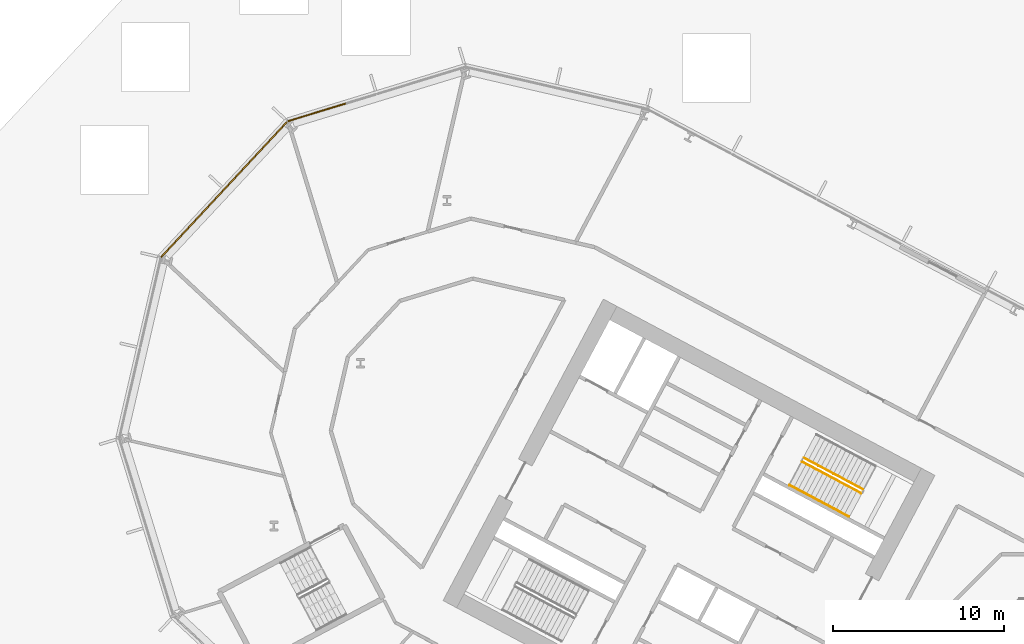
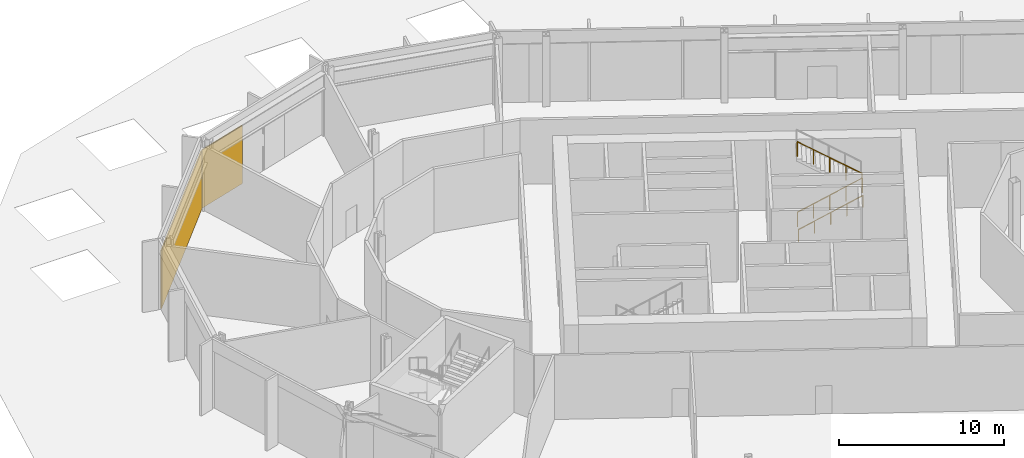
# One storey, part 23 of 30: 3 railings, 2 coverings, 2 elements without a shape of their own.
"""IFC4 building model written with IfcOpenShell, lengths in metres."""

import ifcopenshell
import ifcopenshell.guid

model = None  # the IFC model being written
_history = None  # IfcOwnerHistory: only IFC2X3 demands one
_inside = {}  # id of a spatial element -> (the spatial element, [elements in it])
_under = {}  # id of a project, library or spatial element -> (it, [spatial elements below it])
_declared = {}  # id of a project -> (the project, [libraries it declares])
_typed = {}  # id of a type object -> (the type object, [elements of that type])
_made_of = {}  # id of a material, layer set ... -> (it, [elements and type objects made of it])


def new_model(schema):
    """Start an empty IFC model of exactly this schema.

    Asked for "IFC4X3", IfcOpenShell would pick the latest addendum, in which some entities
    have other attributes; the version numbers below select the first issue.
    IFC2X3 requires an IfcOwnerHistory on every rooted entity: one is made here for all.
    """
    global model, _history
    if schema == "IFC4X3":
        model = ifcopenshell.file(schema_version=(4, 3, 0, 0))
    else:
        model = ifcopenshell.file(schema=schema)
    _inside.clear()
    _under.clear()
    _declared.clear()
    _typed.clear()
    _made_of.clear()
    _history = None
    if model.schema == "IFC2X3":
        org = make("IfcOrganization", Name="unknown")
        user = make(
            "IfcPersonAndOrganization",
            ThePerson=make("IfcPerson", FamilyName="unknown"),
            TheOrganization=org,
        )
        app = make(
            "IfcApplication",
            ApplicationDeveloper=org,
            Version="unknown",
            ApplicationFullName="unknown",
            ApplicationIdentifier="unknown",
        )
        _history = make(
            "IfcOwnerHistory",
            OwningUser=user,
            OwningApplication=app,
            ChangeAction="ADDED",
            CreationDate=0,
        )
    return model


def make(cls, **values):
    """One entity of the class cls with the attributes given. An attribute that is None is left unset."""
    return model.create_entity(
        cls, **{name: value for name, value in values.items() if value is not None}
    )


def rooted(cls, **values):
    """An entity with a GlobalId (a new one), such as an element, a storey or a relation."""
    return make(cls, GlobalId=ifcopenshell.guid.new(), OwnerHistory=_history, **values)


def si_unit(unit_type, name, prefix=None):
    """IfcSIUnit, for example si_unit("LENGTHUNIT", "METRE", prefix="MILLI")."""
    return make("IfcSIUnit", UnitType=unit_type, Prefix=prefix, Name=name)


def assignment(units):
    """IfcUnitAssignment: the units of a project."""
    return None if units is None else make("IfcUnitAssignment", Units=units)


def point(xyz):
    """IfcCartesianPoint."""
    return None if xyz is None else make("IfcCartesianPoint", Coordinates=xyz)


def direction(xyz):
    """IfcDirection."""
    return None if xyz is None else make("IfcDirection", DirectionRatios=xyz)


def frame(location, z_axis=None, x_axis=None):
    """IfcAxis2Placement3D, a coordinate frame: its origin and axes. An axis left out is left unset."""
    return make(
        "IfcAxis2Placement3D",
        Location=point(location),
        Axis=direction(z_axis),
        RefDirection=direction(x_axis),
    )


def frame_2d(location, x_axis=None):
    """IfcAxis2Placement2D, a coordinate frame in the plane: its origin and x axis."""
    return make(
        "IfcAxis2Placement2D", Location=point(location), RefDirection=direction(x_axis)
    )


def origin():
    """The frame at (0, 0, 0) with its axes left unset."""
    return frame((0.0, 0.0, 0.0))


def origin_2d():
    """The frame at (0, 0) in the plane with its x axis left unset."""
    return frame_2d((0.0, 0.0))


def place(relative_to, where):
    """IfcLocalPlacement: puts the frame where relative to a parent placement (None: the world)."""
    return make(
        "IfcLocalPlacement", PlacementRelTo=relative_to, RelativePlacement=where
    )


def context(
    kind, dimensions, precision=None, world=None, true_north=None, identifier=None
):
    """IfcGeometricRepresentationContext, for example the 3D "Model" context."""
    return make(
        "IfcGeometricRepresentationContext",
        ContextIdentifier=identifier,
        ContextType=kind,
        CoordinateSpaceDimension=dimensions,
        Precision=precision,
        WorldCoordinateSystem=world,
        TrueNorth=true_north,
    )


def subcontext(parent, identifier, kind, view, scale=None):
    """IfcGeometricRepresentationSubContext, for example "Body" below "Model"."""
    return make(
        "IfcGeometricRepresentationSubContext",
        ContextIdentifier=identifier,
        ContextType=kind,
        ParentContext=parent,
        TargetScale=scale,
        TargetView=view,
    )


def project(units=None, contexts=None):
    """IfcProject with its units and contexts."""
    return rooted(
        "IfcProject",
        Name="project",
        RepresentationContexts=contexts,
        UnitsInContext=assignment(units),
    )


def spatial(cls, under=None, at=None, **own):
    """A site, building, storey or space (cls), placed at a placement, below another one or the project."""
    s = rooted(cls, ObjectPlacement=at, **own)
    if under is not None:
        _under.setdefault(under.id(), (under, []))[1].append(s)
    return s


def polyline(points):
    """IfcPolyline through the points."""
    return make("IfcPolyline", Points=[point(p) for p in points])


def profile(cls, at=None, kind="AREA", **sizes):
    """A parametric profile (cls). Its sizes go by their IFC names, for example OverallWidth=200.0."""
    return make(cls, ProfileType=kind, Position=at, **sizes)


def rectangle(**sizes):
    """IfcRectangleProfileDef."""
    return profile("IfcRectangleProfileDef", **sizes)


def outline(outer, holes=None, kind="AREA"):
    """IfcArbitraryClosedProfileDef: a profile drawn as a closed curve; with holes, ...WithVoids."""
    if holes is None:
        return make("IfcArbitraryClosedProfileDef", ProfileType=kind, OuterCurve=outer)
    return make(
        "IfcArbitraryProfileDefWithVoids",
        ProfileType=kind,
        OuterCurve=outer,
        InnerCurves=holes,
    )


def extrude(swept, where, along, depth):
    """IfcExtrudedAreaSolid: the profile swept, set in the frame where, extruded along a direction by depth."""
    return make(
        "IfcExtrudedAreaSolid",
        SweptArea=swept,
        Position=where,
        ExtrudedDirection=direction(along),
        Depth=depth,
    )


def shape(context_of_items, identifier, shape_type, items):
    """IfcShapeRepresentation: the items that make up one representation, for example the "Body"."""
    return make(
        "IfcShapeRepresentation",
        ContextOfItems=context_of_items,
        RepresentationIdentifier=identifier,
        RepresentationType=shape_type,
        Items=items,
    )


def material(Name=None, Category=None):
    """IfcMaterial."""
    return make("IfcMaterial", Name=Name, Category=Category)


def layer(
    of_material, thickness, ventilated=None, Name=None, Category=None, Priority=None
):
    """IfcMaterialLayer: one layer of a wall or slab, of a material (None: an air gap)."""
    return make(
        "IfcMaterialLayer",
        Material=of_material,
        LayerThickness=thickness,
        IsVentilated=ventilated,
        Name=Name,
        Category=Category,
        Priority=Priority,
    )


def layer_set(layers, Name=None):
    """IfcMaterialLayerSet."""
    return make("IfcMaterialLayerSet", MaterialLayers=layers, LayerSetName=Name)


def made_of(thing, what):
    """Note that an element or type object is made of a material, layer set ...; save() writes the relation."""
    if what is not None:
        _made_of.setdefault(what.id(), (what, []))[1].append(thing)
    return thing


def type_object(cls, material=None, **own):
    """A type object (cls), such as IfcWallType, which elements share."""
    return made_of(rooted(cls, **own), material)


def element(
    cls,
    number,
    at=None,
    inside=None,
    cuts=None,
    type_object=None,
    material=None,
    context=None,
    identifier="Body",
    shape_type=None,
    held_by="IfcProductDefinitionShape",
    body=None,
    shapes=None,
    **own,
):
    """One element of the class cls, such as IfcWall. Its Tag is "e" and its number.

    at: its placement. inside: the storey or other place that contains it. cuts: it is an
    opening in that element (IfcRelVoidsElement). A single representation is given by context,
    identifier, shape_type and body (its items); several are given by shapes. held_by: the class
    of the entity that holds the representations. save() writes the other relations.
    """
    e = rooted(cls, Tag="e%d" % number, ObjectPlacement=at, **own)
    if body is not None:
        shapes = [shape(context, identifier, shape_type, body)]
    if shapes is not None:
        e.Representation = make(held_by, Representations=shapes)
    if inside is not None:
        _inside.setdefault(inside.id(), (inside, []))[1].append(e)
    if cuts is not None:
        rooted(
            "IfcRelVoidsElement", RelatingBuildingElement=cuts, RelatedOpeningElement=e
        )
    if type_object is not None:
        _typed.setdefault(type_object.id(), (type_object, []))[1].append(e)
    return made_of(e, material)


def aggregate(whole, parts):
    """IfcRelAggregates: a whole, such as a stair, and the parts it consists of."""
    return rooted("IfcRelAggregates", RelatingObject=whole, RelatedObjects=parts)


def save(model, path):
    """Write the relations noted so far, then the file.

    IfcRelAggregates (storeys below a building ...), IfcRelContainedInSpatialStructure (elements
    in a storey), IfcRelDefinesByType, IfcRelAssociatesMaterial and IfcRelDeclares: one each for
    every whole, place, type object, material and project.
    """
    for whole, parts in _under.values():
        aggregate(whole, parts)
    for where, things in _inside.values():
        rooted(
            "IfcRelContainedInSpatialStructure",
            RelatedElements=things,
            RelatingStructure=where,
        )
    for kind, things in _typed.values():
        rooted("IfcRelDefinesByType", RelatedObjects=things, RelatingType=kind)
    for what, things in _made_of.values():
        rooted("IfcRelAssociatesMaterial", RelatedObjects=things, RelatingMaterial=what)
    for by, libraries in _declared.values():
        rooted("IfcRelDeclares", RelatingContext=by, RelatedDefinitions=libraries)
    model.write(path)


model = new_model("IFC4")

# Units and contexts
model_context = context("Model", 3, precision=1e-05, world=origin(), true_north=direction((0.0, 1.0)))
body_context = subcontext(model_context, "Body", "Model", "MODEL_VIEW")
ifc_project = project(units=[si_unit("LENGTHUNIT", "METRE"), si_unit("AREAUNIT", "SQUARE_METRE"), si_unit("VOLUMEUNIT", "CUBIC_METRE"), si_unit("PLANEANGLEUNIT", "RADIAN"), si_unit("MASSUNIT", "GRAM", prefix="KILO")], contexts=[model_context])

# Site, building, storey
site_placement = place(None, origin())
site = spatial("IfcSite", under=ifc_project, at=site_placement, CompositionType="ELEMENT")
building_placement = place(site_placement, origin())
building = spatial("IfcBuilding", under=site, at=building_placement, Name="Cormorant Relay Tower", CompositionType="ELEMENT")
storey_placement = place(building_placement, frame((0.0, 0.0, 7.0)))
storey = spatial("IfcBuildingStorey", under=building, at=storey_placement, Name="L01", CompositionType="ELEMENT", Elevation=7.0)

# Curtain wall, covering
ifc_material_1 = material(Name="Aluminium 6063-T6 anodised bronze", Category="aluminium")
ifc_layer_1 = layer(ifc_material_1, 0.235107421875)
ifc_layer_set_1 = layer_set([ifc_layer_1], Name="CW6 data hall curtain wall with mineral wool panels")
curtain_wall_type = type_object("IfcCurtainWallType", Name="CW6 data hall curtain wall with mineral wool panels", PredefinedType="NOTDEFINED", material=ifc_layer_set_1)
curtain_wall_1_placement = place(storey_placement, origin())
curtain_wall_1 = element("IfcCurtainWall", 1, at=curtain_wall_1_placement, inside=storey, type_object=curtain_wall_type, Name="CW6 curtain wall 9", PredefinedType="NOTDEFINED")
ifc_material_2 = material(Name="Mineral wool cored anodised bronze aluminium cassette panel", Category="aluminium")
ifc_layer_2 = layer(ifc_material_2, 0.074951171875)
ifc_layer_set_2 = layer_set([ifc_layer_2], Name="CW6 mineral wool cassette panel 75")
covering_type = type_object("IfcCoveringType", Name="CW6 mineral wool cassette panel 75", PredefinedType="CLADDING", material=ifc_layer_set_2)
covering_1_placement = place(storey_placement, frame((-49.169677734375, 39.491455078125, 0.0), z_axis=(0.0, 0.0, 1.0), x_axis=(-0.956304755963, -0.292371704723, 0.0)))
covering_1 = element("IfcCovering", 2, at=covering_1_placement, type_object=covering_type, Name="CW6 panel S03", PredefinedType="CLADDING", context=body_context, shape_type="SweptSolid", body=[
    extrude(rectangle(XDim=3.560302734375, YDim=0.074951171875, at=origin_2d()), origin(), (0.0, 0.0, 1.0), 4.300048828125),
])
aggregate(curtain_wall_1, [covering_1])

curtain_wall_2_placement = place(storey_placement, origin())
curtain_wall_2 = element("IfcCurtainWall", 3, at=curtain_wall_2_placement, inside=storey, type_object=curtain_wall_type, Name="CW6 curtain wall 10", PredefinedType="NOTDEFINED")
covering_2_placement = place(storey_placement, frame((-54.62060546875, 34.958251953125, 0.0), z_axis=(0.0, 0.0, 1.0), x_axis=(-0.681998360062, -0.731353701619, 0.0)))
covering_2 = element("IfcCovering", 4, at=covering_2_placement, type_object=covering_type, Name="CW6 panel S00", PredefinedType="CLADDING", context=body_context, shape_type="SweptSolid", body=[
    extrude(rectangle(XDim=10.79541015625, YDim=0.074951171875, at=origin_2d()), origin(), (0.0, 0.0, 1.0), 4.300048828125),
])
aggregate(curtain_wall_2, [covering_2])

# Railings
ifc_material_3 = material(Name="Steel ASTM A572 Grade 50 (Fy 345 MPa)", Category="steel")
railing_type_1 = type_object("IfcRailingType", Name="Stair guard 1100", PredefinedType="GUARDRAIL", material=ifc_material_3)
railing_1_placement = place(storey_placement, frame((-20.75048828125, 19.017822265625, 0.17333984375)))
element("IfcRailing", 5, at=railing_1_placement, inside=storey, type_object=railing_type_1, Name="L01 A1 stair guard 1", PredefinedType="GUARDRAIL", context=body_context, shape_type="SweptSolid", body=[
    extrude(outline(polyline([(0.022216796875, 0.00927734375), (0.00927734375, 0.022216796875), (-0.00927734375, 0.022216796875), (-0.022216796875, 0.00927734375), (-0.022216796875, -0.00927734375), (-0.00927734375, -0.022216796875), (0.00927734375, -0.022216796875), (0.022216796875, -0.00927734375), (0.022216796875, 0.00927734375)])), frame((0.0, 0.0, 1.076171875), z_axis=(0.750734087475, -0.399170032545, 0.526366426571), x_axis=(0.469469396681, 0.882948744594, 0.0)), (0.0, 0.0, 1.0), 4.6103515625),
    extrude(outline(polyline([(0.019287109375, 0.008056640625), (0.008056640625, 0.019287109375), (-0.008056640625, 0.019287109375), (-0.019287109375, 0.008056640625), (-0.019287109375, -0.008056640625), (-0.008056640625, -0.019287109375), (0.008056640625, -0.019287109375), (0.019287109375, -0.008056640625), (0.019287109375, 0.008056640625)])), origin(), (0.0, 0.0, 1.0), 1.052001953125),
    extrude(outline(polyline([(0.019287109375, 0.008056640625), (0.008056640625, 0.019287109375), (-0.008056640625, 0.019287109375), (-0.019287109375, 0.008056640625), (-0.019287109375, -0.008056640625), (-0.008056640625, -0.019287109375), (0.008056640625, -0.019287109375), (0.019287109375, -0.008056640625), (0.019287109375, 0.008056640625)])), frame((0.865234375, -0.4599609375, 0.606689453125)), (0.0, 0.0, 1.0), 1.052001953125),
    extrude(outline(polyline([(0.019287109375, 0.008056640625), (0.008056640625, 0.019287109375), (-0.008056640625, 0.019287109375), (-0.019287109375, 0.008056640625), (-0.019287109375, -0.008056640625), (-0.008056640625, -0.019287109375), (0.008056640625, -0.019287109375), (0.019287109375, -0.008056640625), (0.019287109375, 0.008056640625)])), frame((1.73046875, -0.920166015625, 1.21337890625)), (0.0, 0.0, 1.0), 1.052001953125),
    extrude(outline(polyline([(0.019287109375, 0.008056640625), (0.008056640625, 0.019287109375), (-0.008056640625, 0.019287109375), (-0.019287109375, 0.008056640625), (-0.019287109375, -0.008056640625), (-0.008056640625, -0.019287109375), (0.008056640625, -0.019287109375), (0.019287109375, -0.008056640625), (0.019287109375, 0.008056640625)])), frame((2.595947265625, -1.38037109375, 1.820068359375)), (0.0, 0.0, 1.0), 1.052001953125),
    extrude(outline(polyline([(0.019287109375, 0.008056640625), (0.008056640625, 0.019287109375), (-0.008056640625, 0.019287109375), (-0.019287109375, 0.008056640625), (-0.019287109375, -0.008056640625), (-0.008056640625, -0.019287109375), (0.008056640625, -0.019287109375), (0.019287109375, -0.008056640625), (0.019287109375, 0.008056640625)])), frame((3.461181640625, -1.84033203125, 2.4267578125)), (0.0, 0.0, 1.0), 1.052001953125),
])
railing_2_placement = place(storey_placement, frame((-17.172119140625, 17.398193359375, 2.7734375)))
element("IfcRailing", 6, at=railing_2_placement, inside=storey, type_object=railing_type_1, Name="L01 A1 stair guard 3", PredefinedType="GUARDRAIL", context=body_context, shape_type="SweptSolid", body=[
    extrude(outline(polyline([(0.022216796875, 0.00927734375), (0.00927734375, 0.022216796875), (-0.00927734375, 0.022216796875), (-0.022216796875, 0.00927734375), (-0.022216796875, -0.00927734375), (-0.00927734375, -0.022216796875), (0.00927734375, -0.022216796875), (0.022216796875, -0.00927734375), (0.022216796875, 0.00927734375)])), frame((0.0, 0.0, 1.076171875), z_axis=(-0.75075501281, 0.399181158677, 0.526328142225), x_axis=(-0.469469396681, -0.882948744594, 0.0)), (0.0, 0.0, 1.0), 4.6103515625),
    extrude(outline(polyline([(0.019287109375, 0.008056640625), (0.008056640625, 0.019287109375), (-0.008056640625, 0.019287109375), (-0.019287109375, 0.008056640625), (-0.019287109375, -0.008056640625), (-0.008056640625, -0.019287109375), (0.008056640625, -0.019287109375), (0.019287109375, -0.008056640625), (0.019287109375, 0.008056640625)])), origin(), (0.0, 0.0, 1.0), 1.052001953125),
    extrude(outline(polyline([(0.019287109375, 0.008056640625), (0.008056640625, 0.019287109375), (-0.008056640625, 0.019287109375), (-0.019287109375, 0.008056640625), (-0.019287109375, -0.008056640625), (-0.008056640625, -0.019287109375), (0.008056640625, -0.019287109375), (0.019287109375, -0.008056640625), (0.019287109375, 0.008056640625)])), frame((-0.865234375, 0.4599609375, 0.606689453125)), (0.0, 0.0, 1.0), 1.052001953125),
    extrude(outline(polyline([(0.019287109375, 0.008056640625), (0.008056640625, 0.019287109375), (-0.008056640625, 0.019287109375), (-0.019287109375, 0.008056640625), (-0.019287109375, -0.008056640625), (-0.008056640625, -0.019287109375), (0.008056640625, -0.019287109375), (0.019287109375, -0.008056640625), (0.019287109375, 0.008056640625)])), frame((-1.73046875, 0.920166015625, 1.21337890625)), (0.0, 0.0, 1.0), 1.052001953125),
    extrude(outline(polyline([(0.019287109375, 0.008056640625), (0.008056640625, 0.019287109375), (-0.008056640625, 0.019287109375), (-0.019287109375, 0.008056640625), (-0.019287109375, -0.008056640625), (-0.008056640625, -0.019287109375), (0.008056640625, -0.019287109375), (0.019287109375, -0.008056640625), (0.019287109375, 0.008056640625)])), frame((-2.595947265625, 1.38037109375, 1.81982421875)), (0.0, 0.0, 1.0), 1.052001953125),
    extrude(outline(polyline([(0.019287109375, 0.008056640625), (0.008056640625, 0.019287109375), (-0.008056640625, 0.019287109375), (-0.019287109375, 0.008056640625), (-0.019287109375, -0.008056640625), (-0.008056640625, -0.019287109375), (0.008056640625, -0.019287109375), (0.019287109375, -0.008056640625), (0.019287109375, 0.008056640625)])), frame((-3.461181640625, 1.84033203125, 2.426513671875)), (0.0, 0.0, 1.0), 1.052001953125),
])
ifc_material_4 = material(Name="Steel ASTM A572 Grade 50 (Fy 345 MPa)", Category="steel")
railing_type_2 = type_object("IfcRailingType", Name="Stair handrail 900", PredefinedType="HANDRAIL", material=ifc_material_4)
railing_3_placement = place(storey_placement, frame((-21.478271484375, 17.6494140625, 0.17333984375)))
element("IfcRailing", 7, at=railing_3_placement, inside=storey, type_object=railing_type_2, Name="L01 A1 stair handrail 1", PredefinedType="HANDRAIL", context=body_context, shape_type="SweptSolid", body=[
    extrude(outline(polyline([(0.022216796875, 0.00927734375), (0.00927734375, 0.022216796875), (-0.00927734375, 0.022216796875), (-0.022216796875, 0.00927734375), (-0.022216796875, -0.00927734375), (-0.00927734375, -0.022216796875), (0.00927734375, -0.022216796875), (0.022216796875, -0.00927734375), (0.022216796875, 0.00927734375)])), frame((0.0, 0.0, 0.8759765625), z_axis=(0.750734087475, -0.399170032545, 0.526366426571), x_axis=(0.469469396681, 0.882948744594, 0.0)), (0.0, 0.0, 1.0), 4.6103515625),
    extrude(outline(polyline([(0.019287109375, 0.008056640625), (0.008056640625, 0.019287109375), (-0.008056640625, 0.019287109375), (-0.019287109375, 0.008056640625), (-0.019287109375, -0.008056640625), (-0.008056640625, -0.019287109375), (0.008056640625, -0.019287109375), (0.019287109375, -0.008056640625), (0.019287109375, 0.008056640625)])), origin(), (0.0, 0.0, 1.0), 0.851806640625),
    extrude(outline(polyline([(0.019287109375, 0.008056640625), (0.008056640625, 0.019287109375), (-0.008056640625, 0.019287109375), (-0.019287109375, 0.008056640625), (-0.019287109375, -0.008056640625), (-0.008056640625, -0.019287109375), (0.008056640625, -0.019287109375), (0.019287109375, -0.008056640625), (0.019287109375, 0.008056640625)])), frame((0.865234375, -0.4599609375, 0.606689453125)), (0.0, 0.0, 1.0), 0.851806640625),
    extrude(outline(polyline([(0.019287109375, 0.008056640625), (0.008056640625, 0.019287109375), (-0.008056640625, 0.019287109375), (-0.019287109375, 0.008056640625), (-0.019287109375, -0.008056640625), (-0.008056640625, -0.019287109375), (0.008056640625, -0.019287109375), (0.019287109375, -0.008056640625), (0.019287109375, 0.008056640625)])), frame((1.73046875, -0.920166015625, 1.21337890625)), (0.0, 0.0, 1.0), 0.851806640625),
    extrude(outline(polyline([(0.019287109375, 0.008056640625), (0.008056640625, 0.019287109375), (-0.008056640625, 0.019287109375), (-0.019287109375, 0.008056640625), (-0.019287109375, -0.008056640625), (-0.008056640625, -0.019287109375), (0.008056640625, -0.019287109375), (0.019287109375, -0.008056640625), (0.019287109375, 0.008056640625)])), frame((2.595947265625, -1.38037109375, 1.820068359375)), (0.0, 0.0, 1.0), 0.851806640625),
    extrude(outline(polyline([(0.019287109375, 0.008056640625), (0.008056640625, 0.019287109375), (-0.008056640625, 0.019287109375), (-0.019287109375, 0.008056640625), (-0.019287109375, -0.008056640625), (-0.008056640625, -0.019287109375), (0.008056640625, -0.019287109375), (0.019287109375, -0.008056640625), (0.019287109375, 0.008056640625)])), frame((3.461181640625, -1.84033203125, 2.4267578125)), (0.0, 0.0, 1.0), 0.851806640625),
])

save(model, "model.ifc")
